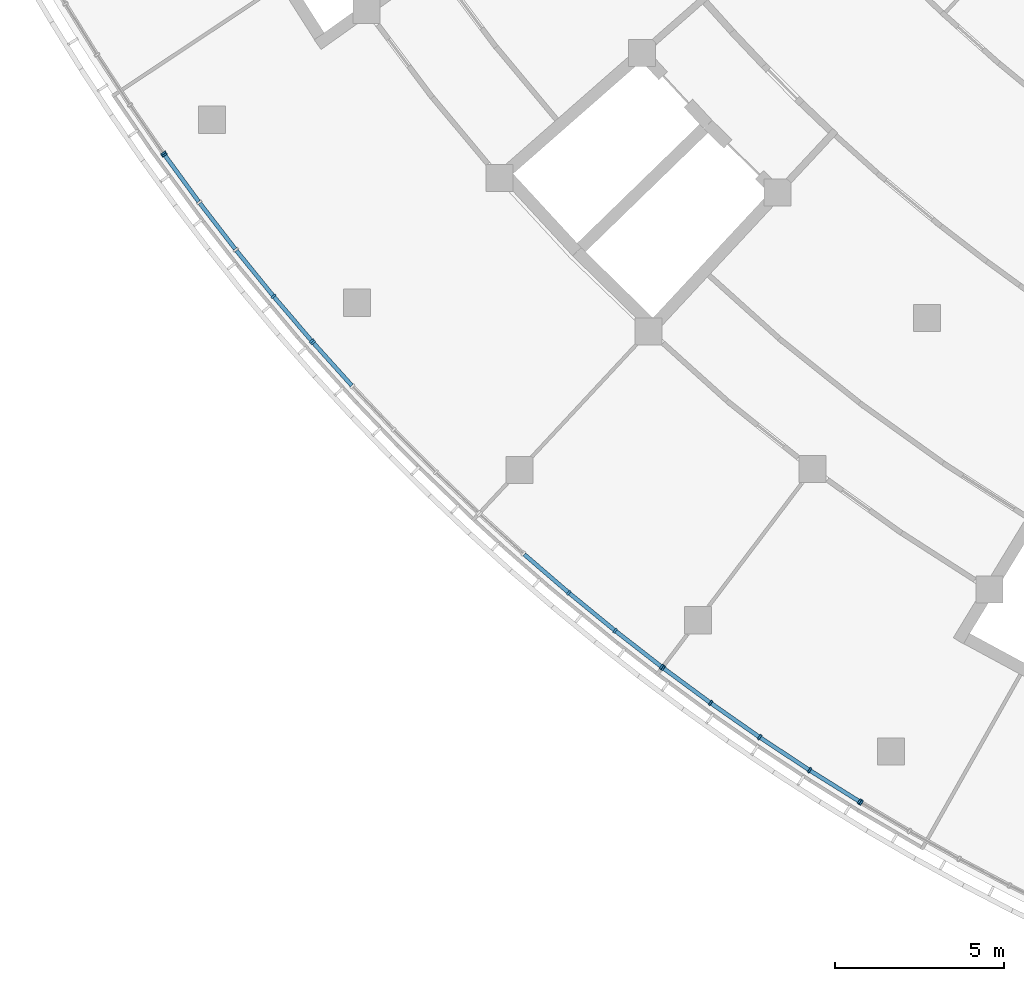
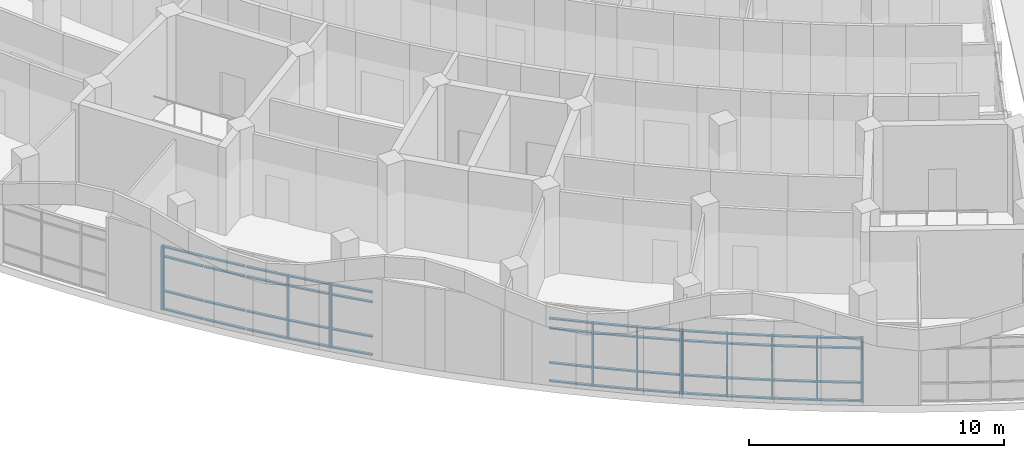
# One storey, part 2 of 137: 62 members, 6 elements without a shape of their own.
"""IFC4 building model written with IfcOpenShell, lengths in metres."""

from ifc_helpers import new_model, si_unit, direction, frame, origin, origin_2d, place, context, subcontext, project, spatial, rectangle, extrude, material, material_profile, profile_set, type_object, element, aggregate, save


model = new_model("IFC4")

# Units and contexts
model_context = context("Model", 3, precision=1e-05, world=origin(), true_north=direction((0.0, 1.0)))
body_context = subcontext(model_context, "Body", "Model", "MODEL_VIEW")
ifc_project = project(units=[si_unit("LENGTHUNIT", "METRE"), si_unit("AREAUNIT", "SQUARE_METRE"), si_unit("VOLUMEUNIT", "CUBIC_METRE"), si_unit("PLANEANGLEUNIT", "RADIAN"), si_unit("MASSUNIT", "GRAM", prefix="KILO")], contexts=[model_context])

# Site, building, storey
site_placement = place(None, origin())
site = spatial("IfcSite", under=ifc_project, at=site_placement, CompositionType="ELEMENT")
building_placement = place(site_placement, origin())
building = spatial("IfcBuilding", under=site, at=building_placement, Name="Bougainvillea Quay General Hospital", CompositionType="ELEMENT")
storey_placement = place(building_placement, frame((0.0, 0.0, 16.800048828125)))
storey = spatial("IfcBuildingStorey", under=building, at=storey_placement, Name="L03", CompositionType="ELEMENT", Elevation=16.800048828125)

# Curtain wall, member
ifc_material_1 = material(Name="Aluminium curtain wall system, powder-coated glazed", Category="aluminium")
curtain_wall_type = type_object("IfcCurtainWallType", Name="Unitised curtain wall CW-2100", PredefinedType="NOTDEFINED", material=ifc_material_1)
curtain_wall_1_placement = place(storey_placement, origin())
curtain_wall_1 = element("IfcCurtainWall", 1, at=curtain_wall_1_placement, inside=storey, type_object=curtain_wall_type, Name="CW-W01 a01b0", PredefinedType="NOTDEFINED")
ifc_material_2 = material(Name="Aluminium mullion, powder-coated charcoal", Category="aluminium")
ifc_material_profile_1 = material_profile(ifc_material_2, rectangle(XDim=0.159912109375, YDim=0.06005859375, at=origin_2d()))
ifc_profile_set_1 = profile_set([ifc_material_profile_1], Name="Aluminium mullion, powder-coated charcoal")
member_type_1 = type_object("IfcMemberType", Name="Curtain wall mullion 160x60", PredefinedType="MULLION", material=ifc_profile_set_1)
member_1_placement = place(storey_placement, frame((72.976806640625, 66.393798828125, 0.0), z_axis=(0.0, 0.0, 1.0), x_axis=(-0.509346436695, -0.860561565158, 0.0)))
member_1 = element("IfcMember", 2, at=member_1_placement, type_object=member_type_1, Name="CW-W01 mullion 5", PredefinedType="MULLION", context=body_context, shape_type="SweptSolid", body=[
    extrude(rectangle(XDim=0.159912109375, YDim=0.06005859375, at=origin_2d()), origin(), (0.0, 0.0, 1.0), 3.050048828125),
])
aggregate(curtain_wall_1, [member_1])

# Curtain wall, members
curtain_wall_2_placement = place(storey_placement, origin())
curtain_wall_2 = element("IfcCurtainWall", 3, at=curtain_wall_2_placement, inside=storey, type_object=curtain_wall_type, Name="CW-W02 a01b1", PredefinedType="NOTDEFINED")
member_2_placement = place(storey_placement, frame((72.925537109375, 66.425048828125, 0.0), z_axis=(0.0, 0.0, 1.0), x_axis=(-0.530488991968, -0.847691824545, 0.0)))
member_2 = element("IfcMember", 4, at=member_2_placement, type_object=member_type_1, Name="CW-W02 mullion 1", PredefinedType="MULLION", context=body_context, shape_type="SweptSolid", body=[
    extrude(rectangle(XDim=0.159912109375, YDim=0.06005859375, at=origin_2d()), origin(), (0.0, 0.0, 1.0), 3.050048828125),
])
member_3_placement = place(storey_placement, frame((71.45166015625, 67.347412109375, 0.0), z_axis=(0.0, 0.0, 1.0), x_axis=(-0.541194636325, -0.840897357359, 0.0)))
member_3 = element("IfcMember", 5, at=member_3_placement, type_object=member_type_1, Name="CW-W02 mullion 2", PredefinedType="MULLION", context=body_context, shape_type="SweptSolid", body=[
    extrude(rectangle(XDim=0.159912109375, YDim=0.06005859375, at=origin_2d()), origin(), (0.0, 0.0, 1.0), 3.050048828125),
])
member_4_placement = place(storey_placement, frame((69.9765625, 68.323486328125, 0.0), z_axis=(0.0, 0.0, 1.0), x_axis=(-0.562343185136, -0.826903949762, 0.0)))
member_4 = element("IfcMember", 6, at=member_4_placement, type_object=member_type_1, Name="CW-W02 mullion 3", PredefinedType="MULLION", context=body_context, shape_type="SweptSolid", body=[
    extrude(rectangle(XDim=0.159912109375, YDim=0.06005859375, at=origin_2d()), origin(), (0.0, 0.0, 1.0), 3.050048828125),
])
member_5_placement = place(storey_placement, frame((68.526611328125, 69.336669921875, 0.0), z_axis=(0.0, 0.0, 1.0), x_axis=(-0.583130104218, -0.812378779606, 0.0)))
member_5 = element("IfcMember", 7, at=member_5_placement, type_object=member_type_1, Name="CW-W02 mullion 4", PredefinedType="MULLION", context=body_context, shape_type="SweptSolid", body=[
    extrude(rectangle(XDim=0.159912109375, YDim=0.06005859375, at=origin_2d()), origin(), (0.0, 0.0, 1.0), 3.050048828125),
])
member_6_placement = place(storey_placement, frame((67.127197265625, 70.368408203125, 0.0), z_axis=(0.0, 0.0, 1.0), x_axis=(-0.593383765922, -0.804919689373, 0.0)))
member_6 = element("IfcMember", 8, at=member_6_placement, type_object=member_type_1, Name="CW-W02 mullion 5", PredefinedType="MULLION", context=body_context, shape_type="SweptSolid", body=[
    extrude(rectangle(XDim=0.159912109375, YDim=0.06005859375, at=origin_2d()), origin(), (0.0, 0.0, 1.0), 3.050048828125),
])

curtain_wall_3_placement = place(storey_placement, origin())
curtain_wall_3 = element("IfcCurtainWall", 9, at=curtain_wall_3_placement, inside=storey, type_object=curtain_wall_type, Name="CW-W03 a01b2", PredefinedType="NOTDEFINED")
member_7_placement = place(storey_placement, frame((67.079345703125, 70.404541015625, 0.0), z_axis=(0.0, 0.0, 1.0), x_axis=(-0.613603251226, -0.789614494602, 0.0)))
member_7 = element("IfcMember", 10, at=member_7_placement, type_object=member_type_1, Name="CW-W03 mullion 1", PredefinedType="MULLION", context=body_context, shape_type="SweptSolid", body=[
    extrude(rectangle(XDim=0.159912109375, YDim=0.06005859375, at=origin_2d()), origin(), (0.0, 0.0, 1.0), 3.050048828125),
])
member_8_placement = place(storey_placement, frame((65.706298828125, 71.471435546875, 0.0), z_axis=(0.0, 0.0, 1.0), x_axis=(-0.623565824026, -0.781770850765, 0.0)))
member_8 = element("IfcMember", 11, at=member_8_placement, type_object=member_type_1, Name="CW-W03 mullion 2", PredefinedType="MULLION", context=body_context, shape_type="SweptSolid", body=[
    extrude(rectangle(XDim=0.159912109375, YDim=0.06005859375, at=origin_2d()), origin(), (0.0, 0.0, 1.0), 3.050048828125),
])
member_9_placement = place(storey_placement, frame((64.337646484375, 72.591796875, 0.0), z_axis=(0.0, 0.0, 1.0), x_axis=(-0.643188621489, -0.765707775321, 0.0)))
member_9 = element("IfcMember", 12, at=member_9_placement, type_object=member_type_1, Name="CW-W03 mullion 3", PredefinedType="MULLION", context=body_context, shape_type="SweptSolid", body=[
    extrude(rectangle(XDim=0.159912109375, YDim=0.06005859375, at=origin_2d()), origin(), (0.0, 0.0, 1.0), 3.050048828125),
])

# Curtain wall, member
curtain_wall_4_placement = place(storey_placement, origin())
curtain_wall_4 = element("IfcCurtainWall", 13, at=curtain_wall_4_placement, inside=storey, type_object=curtain_wall_type, Name="CW-W04 a01b3", PredefinedType="NOTDEFINED")
member_10_placement = place(storey_placement, frame((56.78076171875, 79.986572265625, 0.0), z_axis=(0.0, 0.0, 1.0), x_axis=(-0.743395861593, -0.668851697289, 0.0)))
member_10 = element("IfcMember", 14, at=member_10_placement, type_object=member_type_1, Name="CW-W04 mullion 5", PredefinedType="MULLION", context=body_context, shape_type="SweptSolid", body=[
    extrude(rectangle(XDim=0.159912109375, YDim=0.06005859375, at=origin_2d()), origin(), (0.0, 0.0, 1.0), 3.050048828125),
])

# Curtain wall, members
curtain_wall_5_placement = place(storey_placement, origin())
curtain_wall_5 = element("IfcCurtainWall", 15, at=curtain_wall_5_placement, inside=storey, type_object=curtain_wall_type, Name="CW-W05 a01b4", PredefinedType="NOTDEFINED")
member_11_placement = place(storey_placement, frame((56.7412109375, 80.031494140625, 0.0), z_axis=(0.0, 0.0, 1.0), x_axis=(-0.760116847627, -0.649786409486, 0.0)))
member_11 = element("IfcMember", 16, at=member_11_placement, type_object=member_type_1, Name="CW-W05 mullion 1", PredefinedType="MULLION", context=body_context, shape_type="SweptSolid", body=[
    extrude(rectangle(XDim=0.159912109375, YDim=0.06005859375, at=origin_2d()), origin(), (0.0, 0.0, 1.0), 3.050048828125),
])
member_12_placement = place(storey_placement, frame((55.611572265625, 81.353271484375, 0.0), z_axis=(0.0, 0.0, 1.0), x_axis=(-0.768294695498, -0.64009629031, 0.0)))
member_12 = element("IfcMember", 17, at=member_12_placement, type_object=member_type_1, Name="CW-W05 mullion 2", PredefinedType="MULLION", context=body_context, shape_type="SweptSolid", body=[
    extrude(rectangle(XDim=0.159912109375, YDim=0.06005859375, at=origin_2d()), origin(), (0.0, 0.0, 1.0), 3.050048828125),
])
member_13_placement = place(storey_placement, frame((52.390869140625, 85.53125, 0.0), z_axis=(0.0, 0.0, 1.0), x_axis=(-0.807305492643, -0.590133748864, 0.0)))
member_13 = element("IfcMember", 18, at=member_13_placement, type_object=member_type_1, Name="CW-W05 mullion 5", PredefinedType="MULLION", context=body_context, shape_type="SweptSolid", body=[
    extrude(rectangle(XDim=0.159912109375, YDim=0.06005859375, at=origin_2d()), origin(), (0.0, 0.0, 1.0), 3.050048828125),
])

# Curtain wall, member
curtain_wall_6_placement = place(storey_placement, origin())
curtain_wall_6 = element("IfcCurtainWall", 19, at=curtain_wall_6_placement, inside=storey, type_object=curtain_wall_type, Name="CW-W06 a01b5", PredefinedType="NOTDEFINED")
member_14_placement = place(storey_placement, frame((52.35595703125, 85.580078125, 0.0), z_axis=(0.0, 0.0, 1.0), x_axis=(-0.822009884883, -0.569473220753, 0.0)))
member_14 = element("IfcMember", 20, at=member_14_placement, type_object=member_type_1, Name="CW-W06 mullion 1", PredefinedType="MULLION", context=body_context, shape_type="SweptSolid", body=[
    extrude(rectangle(XDim=0.159912109375, YDim=0.06005859375, at=origin_2d()), origin(), (0.0, 0.0, 1.0), 3.050048828125),
])
aggregate(curtain_wall_6, [member_14])

# Member
ifc_material_3 = material(Name="Aluminium transom, powder-coated charcoal", Category="aluminium")
ifc_material_profile_2 = material_profile(ifc_material_3, rectangle(XDim=0.1201171875, YDim=0.06005859375, at=origin_2d()))
ifc_profile_set_2 = profile_set([ifc_material_profile_2], Name="Aluminium transom, powder-coated charcoal")
member_type_2 = type_object("IfcMemberType", Name="Curtain wall transom 120x60", PredefinedType="USERDEFINED", material=ifc_profile_set_2)
member_15_placement = place(storey_placement, frame((72.900146484375, 66.44091796875, 0.030029296875), z_axis=(-0.847679524006, 0.530508647036, 0.0), x_axis=(-0.530508647036, -0.847679524006, 0.0)))
member_15 = element("IfcMember", 21, at=member_15_placement, type_object=member_type_2, Name="CW-W02 transom 1.1", ObjectType="TRANSOM", PredefinedType="USERDEFINED", context=body_context, shape_type="SweptSolid", body=[
    extrude(rectangle(XDim=0.1201171875, YDim=0.06005859375, at=origin_2d()), origin(), (0.0, 0.0, 1.0), 1.6787109375),
])

member_16_placement = place(storey_placement, frame((72.900146484375, 66.44091796875, 0.89990234375), z_axis=(-0.847679524006, 0.530508647036, 0.0), x_axis=(-0.530508647036, -0.847679524006, 0.0)))
member_16 = element("IfcMember", 22, at=member_16_placement, type_object=member_type_2, Name="CW-W02 transom 1.2", ObjectType="TRANSOM", PredefinedType="USERDEFINED", context=body_context, shape_type="SweptSolid", body=[
    extrude(rectangle(XDim=0.1201171875, YDim=0.06005859375, at=origin_2d()), origin(), (0.0, 0.0, 1.0), 1.6787109375),
])

member_17_placement = place(storey_placement, frame((72.900146484375, 66.44091796875, 2.550048828125), z_axis=(-0.847679524006, 0.530508647036, 0.0), x_axis=(-0.530508647036, -0.847679524006, 0.0)))
member_17 = element("IfcMember", 23, at=member_17_placement, type_object=member_type_2, Name="CW-W02 transom 1.3", ObjectType="TRANSOM", PredefinedType="USERDEFINED", context=body_context, shape_type="SweptSolid", body=[
    extrude(rectangle(XDim=0.1201171875, YDim=0.06005859375, at=origin_2d()), origin(), (0.0, 0.0, 1.0), 1.6787109375),
])

member_18_placement = place(storey_placement, frame((72.900146484375, 66.44091796875, 3.02001953125), z_axis=(-0.847679524006, 0.530508647036, 0.0), x_axis=(-0.530508647036, -0.847679524006, 0.0)))
member_18 = element("IfcMember", 24, at=member_18_placement, type_object=member_type_2, Name="CW-W02 transom 1.4", ObjectType="TRANSOM", PredefinedType="USERDEFINED", context=body_context, shape_type="SweptSolid", body=[
    extrude(rectangle(XDim=0.1201171875, YDim=0.06005859375, at=origin_2d()), origin(), (0.0, 0.0, 1.0), 1.6787109375),
])

member_19_placement = place(storey_placement, frame((71.4267578125, 67.364013671875, 0.030029296875), z_axis=(-0.833979585155, 0.551795298589, 0.0), x_axis=(-0.551795298589, -0.833979585155, 0.0)))
member_19 = element("IfcMember", 25, at=member_19_placement, type_object=member_type_2, Name="CW-W02 transom 2.1", ObjectType="TRANSOM", PredefinedType="USERDEFINED", context=body_context, shape_type="SweptSolid", body=[
    extrude(rectangle(XDim=0.1201171875, YDim=0.06005859375, at=origin_2d()), origin(), (0.0, 0.0, 1.0), 1.708740234375),
])

member_20_placement = place(storey_placement, frame((71.4267578125, 67.364013671875, 0.89990234375), z_axis=(-0.833979585155, 0.551795298589, 0.0), x_axis=(-0.551795298589, -0.833979585155, 0.0)))
member_20 = element("IfcMember", 26, at=member_20_placement, type_object=member_type_2, Name="CW-W02 transom 2.2", ObjectType="TRANSOM", PredefinedType="USERDEFINED", context=body_context, shape_type="SweptSolid", body=[
    extrude(rectangle(XDim=0.1201171875, YDim=0.06005859375, at=origin_2d()), origin(), (0.0, 0.0, 1.0), 1.708740234375),
])

member_21_placement = place(storey_placement, frame((71.4267578125, 67.364013671875, 2.550048828125), z_axis=(-0.833979585155, 0.551795298589, 0.0), x_axis=(-0.551795298589, -0.833979585155, 0.0)))
member_21 = element("IfcMember", 27, at=member_21_placement, type_object=member_type_2, Name="CW-W02 transom 2.3", ObjectType="TRANSOM", PredefinedType="USERDEFINED", context=body_context, shape_type="SweptSolid", body=[
    extrude(rectangle(XDim=0.1201171875, YDim=0.06005859375, at=origin_2d()), origin(), (0.0, 0.0, 1.0), 1.708740234375),
])

member_22_placement = place(storey_placement, frame((71.4267578125, 67.364013671875, 3.02001953125), z_axis=(-0.833979585155, 0.551795298589, 0.0), x_axis=(-0.551795298589, -0.833979585155, 0.0)))
member_22 = element("IfcMember", 28, at=member_22_placement, type_object=member_type_2, Name="CW-W02 transom 2.4", ObjectType="TRANSOM", PredefinedType="USERDEFINED", context=body_context, shape_type="SweptSolid", body=[
    extrude(rectangle(XDim=0.1201171875, YDim=0.06005859375, at=origin_2d()), origin(), (0.0, 0.0, 1.0), 1.708740234375),
])

member_23_placement = place(storey_placement, frame((69.951904296875, 68.340576171875, 0.030029296875), z_axis=(-0.81969481029, 0.572800504524, 0.0), x_axis=(-0.572800504524, -0.81969481029, 0.0)))
member_23 = element("IfcMember", 29, at=member_23_placement, type_object=member_type_2, Name="CW-W02 transom 3.1", ObjectType="TRANSOM", PredefinedType="USERDEFINED", context=body_context, shape_type="SweptSolid", body=[
    extrude(rectangle(XDim=0.1201171875, YDim=0.06005859375, at=origin_2d()), origin(), (0.0, 0.0, 1.0), 1.708740234375),
])

member_24_placement = place(storey_placement, frame((69.951904296875, 68.340576171875, 0.89990234375), z_axis=(-0.81969481029, 0.572800504524, 0.0), x_axis=(-0.572800504524, -0.81969481029, 0.0)))
member_24 = element("IfcMember", 30, at=member_24_placement, type_object=member_type_2, Name="CW-W02 transom 3.2", ObjectType="TRANSOM", PredefinedType="USERDEFINED", context=body_context, shape_type="SweptSolid", body=[
    extrude(rectangle(XDim=0.1201171875, YDim=0.06005859375, at=origin_2d()), origin(), (0.0, 0.0, 1.0), 1.708740234375),
])

member_25_placement = place(storey_placement, frame((69.951904296875, 68.340576171875, 2.550048828125), z_axis=(-0.81969481029, 0.572800504524, 0.0), x_axis=(-0.572800504524, -0.81969481029, 0.0)))
member_25 = element("IfcMember", 31, at=member_25_placement, type_object=member_type_2, Name="CW-W02 transom 3.3", ObjectType="TRANSOM", PredefinedType="USERDEFINED", context=body_context, shape_type="SweptSolid", body=[
    extrude(rectangle(XDim=0.1201171875, YDim=0.06005859375, at=origin_2d()), origin(), (0.0, 0.0, 1.0), 1.708740234375),
])

member_26_placement = place(storey_placement, frame((69.951904296875, 68.340576171875, 3.02001953125), z_axis=(-0.81969481029, 0.572800504524, 0.0), x_axis=(-0.572800504524, -0.81969481029, 0.0)))
member_26 = element("IfcMember", 32, at=member_26_placement, type_object=member_type_2, Name="CW-W02 transom 3.4", ObjectType="TRANSOM", PredefinedType="USERDEFINED", context=body_context, shape_type="SweptSolid", body=[
    extrude(rectangle(XDim=0.1201171875, YDim=0.06005859375, at=origin_2d()), origin(), (0.0, 0.0, 1.0), 1.708740234375),
])

member_27_placement = place(storey_placement, frame((68.50244140625, 69.3544921875, 0.030029296875), z_axis=(-0.804894956089, 0.593417314934, 0.0), x_axis=(-0.593417314934, -0.804894956089, 0.0)))
member_27 = element("IfcMember", 33, at=member_27_placement, type_object=member_type_2, Name="CW-W02 transom 4.1", ObjectType="TRANSOM", PredefinedType="USERDEFINED", context=body_context, shape_type="SweptSolid", body=[
    extrude(rectangle(XDim=0.1201171875, YDim=0.06005859375, at=origin_2d()), origin(), (0.0, 0.0, 1.0), 1.678466796875),
])

member_28_placement = place(storey_placement, frame((68.50244140625, 69.3544921875, 0.89990234375), z_axis=(-0.804894956089, 0.593417314934, 0.0), x_axis=(-0.593417314934, -0.804894956089, 0.0)))
member_28 = element("IfcMember", 34, at=member_28_placement, type_object=member_type_2, Name="CW-W02 transom 4.2", ObjectType="TRANSOM", PredefinedType="USERDEFINED", context=body_context, shape_type="SweptSolid", body=[
    extrude(rectangle(XDim=0.1201171875, YDim=0.06005859375, at=origin_2d()), origin(), (0.0, 0.0, 1.0), 1.678466796875),
])

member_29_placement = place(storey_placement, frame((68.50244140625, 69.3544921875, 2.550048828125), z_axis=(-0.804894956089, 0.593417314934, 0.0), x_axis=(-0.593417314934, -0.804894956089, 0.0)))
member_29 = element("IfcMember", 35, at=member_29_placement, type_object=member_type_2, Name="CW-W02 transom 4.3", ObjectType="TRANSOM", PredefinedType="USERDEFINED", context=body_context, shape_type="SweptSolid", body=[
    extrude(rectangle(XDim=0.1201171875, YDim=0.06005859375, at=origin_2d()), origin(), (0.0, 0.0, 1.0), 1.678466796875),
])

member_30_placement = place(storey_placement, frame((68.50244140625, 69.3544921875, 3.02001953125), z_axis=(-0.804894956089, 0.593417314934, 0.0), x_axis=(-0.593417314934, -0.804894956089, 0.0)))
member_30 = element("IfcMember", 36, at=member_30_placement, type_object=member_type_2, Name="CW-W02 transom 4.4", ObjectType="TRANSOM", PredefinedType="USERDEFINED", context=body_context, shape_type="SweptSolid", body=[
    extrude(rectangle(XDim=0.1201171875, YDim=0.06005859375, at=origin_2d()), origin(), (0.0, 0.0, 1.0), 1.678466796875),
])

aggregate(curtain_wall_2, [member_2, member_3, member_4, member_5, member_6, member_15, member_16, member_17, member_18, member_19, member_20, member_21, member_22, member_23, member_24, member_25, member_26, member_27, member_28, member_29, member_30])

member_31_placement = place(storey_placement, frame((67.0556640625, 70.423095703125, 0.030029296875), z_axis=(-0.789657512127, 0.613547890178, 0.0), x_axis=(-0.613547890178, -0.789657512127, 0.0)))
member_31 = element("IfcMember", 37, at=member_31_placement, type_object=member_type_2, Name="CW-W03 transom 1.1", ObjectType="TRANSOM", PredefinedType="USERDEFINED", context=body_context, shape_type="SweptSolid", body=[
    extrude(rectangle(XDim=0.1201171875, YDim=0.06005859375, at=origin_2d()), origin(), (0.0, 0.0, 1.0), 1.6787109375),
])

member_32_placement = place(storey_placement, frame((67.0556640625, 70.423095703125, 0.89990234375), z_axis=(-0.789657512127, 0.613547890178, 0.0), x_axis=(-0.613547890178, -0.789657512127, 0.0)))
member_32 = element("IfcMember", 38, at=member_32_placement, type_object=member_type_2, Name="CW-W03 transom 1.2", ObjectType="TRANSOM", PredefinedType="USERDEFINED", context=body_context, shape_type="SweptSolid", body=[
    extrude(rectangle(XDim=0.1201171875, YDim=0.06005859375, at=origin_2d()), origin(), (0.0, 0.0, 1.0), 1.6787109375),
])

member_33_placement = place(storey_placement, frame((67.0556640625, 70.423095703125, 2.550048828125), z_axis=(-0.789657512127, 0.613547890178, 0.0), x_axis=(-0.613547890178, -0.789657512127, 0.0)))
member_33 = element("IfcMember", 39, at=member_33_placement, type_object=member_type_2, Name="CW-W03 transom 1.3", ObjectType="TRANSOM", PredefinedType="USERDEFINED", context=body_context, shape_type="SweptSolid", body=[
    extrude(rectangle(XDim=0.1201171875, YDim=0.06005859375, at=origin_2d()), origin(), (0.0, 0.0, 1.0), 1.6787109375),
])

member_34_placement = place(storey_placement, frame((67.0556640625, 70.423095703125, 3.02001953125), z_axis=(-0.789657512127, 0.613547890178, 0.0), x_axis=(-0.613547890178, -0.789657512127, 0.0)))
member_34 = element("IfcMember", 40, at=member_34_placement, type_object=member_type_2, Name="CW-W03 transom 1.4", ObjectType="TRANSOM", PredefinedType="USERDEFINED", context=body_context, shape_type="SweptSolid", body=[
    extrude(rectangle(XDim=0.1201171875, YDim=0.06005859375, at=origin_2d()), origin(), (0.0, 0.0, 1.0), 1.6787109375),
])

member_35_placement = place(storey_placement, frame((65.68310546875, 71.490478515625, 0.030029296875), z_axis=(-0.773766303508, 0.633471157635, 0.0), x_axis=(-0.633471157635, -0.773766303508, 0.0)))
member_35 = element("IfcMember", 41, at=member_35_placement, type_object=member_type_2, Name="CW-W03 transom 2.1", ObjectType="TRANSOM", PredefinedType="USERDEFINED", context=body_context, shape_type="SweptSolid", body=[
    extrude(rectangle(XDim=0.1201171875, YDim=0.06005859375, at=origin_2d()), origin(), (0.0, 0.0, 1.0), 1.708984375),
])

member_36_placement = place(storey_placement, frame((65.68310546875, 71.490478515625, 0.89990234375), z_axis=(-0.773766303508, 0.633471157635, 0.0), x_axis=(-0.633471157635, -0.773766303508, 0.0)))
member_36 = element("IfcMember", 42, at=member_36_placement, type_object=member_type_2, Name="CW-W03 transom 2.2", ObjectType="TRANSOM", PredefinedType="USERDEFINED", context=body_context, shape_type="SweptSolid", body=[
    extrude(rectangle(XDim=0.1201171875, YDim=0.06005859375, at=origin_2d()), origin(), (0.0, 0.0, 1.0), 1.708984375),
])

member_37_placement = place(storey_placement, frame((65.68310546875, 71.490478515625, 2.550048828125), z_axis=(-0.773766303508, 0.633471157635, 0.0), x_axis=(-0.633471157635, -0.773766303508, 0.0)))
member_37 = element("IfcMember", 43, at=member_37_placement, type_object=member_type_2, Name="CW-W03 transom 2.3", ObjectType="TRANSOM", PredefinedType="USERDEFINED", context=body_context, shape_type="SweptSolid", body=[
    extrude(rectangle(XDim=0.1201171875, YDim=0.06005859375, at=origin_2d()), origin(), (0.0, 0.0, 1.0), 1.708984375),
])

member_38_placement = place(storey_placement, frame((65.68310546875, 71.490478515625, 3.02001953125), z_axis=(-0.773766303508, 0.633471157635, 0.0), x_axis=(-0.633471157635, -0.773766303508, 0.0)))
member_38 = element("IfcMember", 44, at=member_38_placement, type_object=member_type_2, Name="CW-W03 transom 2.4", ObjectType="TRANSOM", PredefinedType="USERDEFINED", context=body_context, shape_type="SweptSolid", body=[
    extrude(rectangle(XDim=0.1201171875, YDim=0.06005859375, at=origin_2d()), origin(), (0.0, 0.0, 1.0), 1.708984375),
])

member_39_placement = place(storey_placement, frame((64.31494140625, 72.611572265625, 0.030029296875), z_axis=(-0.757529337262, 0.6528011207, 0.0), x_axis=(-0.6528011207, -0.757529337262, 0.0)))
member_39 = element("IfcMember", 45, at=member_39_placement, type_object=member_type_2, Name="CW-W03 transom 3.1", ObjectType="TRANSOM", PredefinedType="USERDEFINED", context=body_context, shape_type="SweptSolid", body=[
    extrude(rectangle(XDim=0.1201171875, YDim=0.06005859375, at=origin_2d()), origin(), (0.0, 0.0, 1.0), 1.708740234375),
])

member_40_placement = place(storey_placement, frame((64.31494140625, 72.611572265625, 0.89990234375), z_axis=(-0.757529337262, 0.6528011207, 0.0), x_axis=(-0.6528011207, -0.757529337262, 0.0)))
member_40 = element("IfcMember", 46, at=member_40_placement, type_object=member_type_2, Name="CW-W03 transom 3.2", ObjectType="TRANSOM", PredefinedType="USERDEFINED", context=body_context, shape_type="SweptSolid", body=[
    extrude(rectangle(XDim=0.1201171875, YDim=0.06005859375, at=origin_2d()), origin(), (0.0, 0.0, 1.0), 1.708740234375),
])

member_41_placement = place(storey_placement, frame((64.31494140625, 72.611572265625, 2.550048828125), z_axis=(-0.757529337262, 0.6528011207, 0.0), x_axis=(-0.6528011207, -0.757529337262, 0.0)))
member_41 = element("IfcMember", 47, at=member_41_placement, type_object=member_type_2, Name="CW-W03 transom 3.3", ObjectType="TRANSOM", PredefinedType="USERDEFINED", context=body_context, shape_type="SweptSolid", body=[
    extrude(rectangle(XDim=0.1201171875, YDim=0.06005859375, at=origin_2d()), origin(), (0.0, 0.0, 1.0), 1.708740234375),
])

member_42_placement = place(storey_placement, frame((64.31494140625, 72.611572265625, 3.02001953125), z_axis=(-0.757529337262, 0.6528011207, 0.0), x_axis=(-0.6528011207, -0.757529337262, 0.0)))
member_42 = element("IfcMember", 48, at=member_42_placement, type_object=member_type_2, Name="CW-W03 transom 3.4", ObjectType="TRANSOM", PredefinedType="USERDEFINED", context=body_context, shape_type="SweptSolid", body=[
    extrude(rectangle(XDim=0.1201171875, YDim=0.06005859375, at=origin_2d()), origin(), (0.0, 0.0, 1.0), 1.708740234375),
])

aggregate(curtain_wall_3, [member_7, member_8, member_9, member_31, member_32, member_33, member_34, member_35, member_36, member_37, member_38, member_39, member_40, member_41, member_42])

member_43_placement = place(storey_placement, frame((57.923828125, 78.71630859375, 0.030029296875), z_axis=(-0.668892408727, 0.743359230485, 0.0), x_axis=(-0.743359230485, -0.668892408727, 0.0)))
member_43 = element("IfcMember", 49, at=member_43_placement, type_object=member_type_2, Name="CW-W04 transom 4.1", ObjectType="TRANSOM", PredefinedType="USERDEFINED", context=body_context, shape_type="SweptSolid", body=[
    extrude(rectangle(XDim=0.1201171875, YDim=0.06005859375, at=origin_2d()), origin(), (0.0, 0.0, 1.0), 1.6787109375),
])

member_44_placement = place(storey_placement, frame((57.923828125, 78.71630859375, 0.89990234375), z_axis=(-0.668892408727, 0.743359230485, 0.0), x_axis=(-0.743359230485, -0.668892408727, 0.0)))
member_44 = element("IfcMember", 50, at=member_44_placement, type_object=member_type_2, Name="CW-W04 transom 4.2", ObjectType="TRANSOM", PredefinedType="USERDEFINED", context=body_context, shape_type="SweptSolid", body=[
    extrude(rectangle(XDim=0.1201171875, YDim=0.06005859375, at=origin_2d()), origin(), (0.0, 0.0, 1.0), 1.6787109375),
])

member_45_placement = place(storey_placement, frame((57.923828125, 78.71630859375, 2.550048828125), z_axis=(-0.668892408727, 0.743359230485, 0.0), x_axis=(-0.743359230485, -0.668892408727, 0.0)))
member_45 = element("IfcMember", 51, at=member_45_placement, type_object=member_type_2, Name="CW-W04 transom 4.3", ObjectType="TRANSOM", PredefinedType="USERDEFINED", context=body_context, shape_type="SweptSolid", body=[
    extrude(rectangle(XDim=0.1201171875, YDim=0.06005859375, at=origin_2d()), origin(), (0.0, 0.0, 1.0), 1.6787109375),
])

member_46_placement = place(storey_placement, frame((57.923828125, 78.71630859375, 3.02001953125), z_axis=(-0.668892408727, 0.743359230485, 0.0), x_axis=(-0.743359230485, -0.668892408727, 0.0)))
member_46 = element("IfcMember", 52, at=member_46_placement, type_object=member_type_2, Name="CW-W04 transom 4.4", ObjectType="TRANSOM", PredefinedType="USERDEFINED", context=body_context, shape_type="SweptSolid", body=[
    extrude(rectangle(XDim=0.1201171875, YDim=0.06005859375, at=origin_2d()), origin(), (0.0, 0.0, 1.0), 1.6787109375),
])

aggregate(curtain_wall_4, [member_10, member_43, member_44, member_45, member_46])

member_47_placement = place(storey_placement, frame((56.721923828125, 80.054443359375, 0.030029296875), z_axis=(-0.649844836937, 0.760066896994, 0.0), x_axis=(-0.760066896994, -0.649844836937, 0.0)))
member_47 = element("IfcMember", 53, at=member_47_placement, type_object=member_type_2, Name="CW-W05 transom 1.1", ObjectType="TRANSOM", PredefinedType="USERDEFINED", context=body_context, shape_type="SweptSolid", body=[
    extrude(rectangle(XDim=0.1201171875, YDim=0.06005859375, at=origin_2d()), origin(), (0.0, 0.0, 1.0), 1.678955078125),
])

member_48_placement = place(storey_placement, frame((56.721923828125, 80.054443359375, 0.89990234375), z_axis=(-0.649844836937, 0.760066896994, 0.0), x_axis=(-0.760066896994, -0.649844836937, 0.0)))
member_48 = element("IfcMember", 54, at=member_48_placement, type_object=member_type_2, Name="CW-W05 transom 1.2", ObjectType="TRANSOM", PredefinedType="USERDEFINED", context=body_context, shape_type="SweptSolid", body=[
    extrude(rectangle(XDim=0.1201171875, YDim=0.06005859375, at=origin_2d()), origin(), (0.0, 0.0, 1.0), 1.678955078125),
])

member_49_placement = place(storey_placement, frame((56.721923828125, 80.054443359375, 2.550048828125), z_axis=(-0.649844836937, 0.760066896994, 0.0), x_axis=(-0.760066896994, -0.649844836937, 0.0)))
member_49 = element("IfcMember", 55, at=member_49_placement, type_object=member_type_2, Name="CW-W05 transom 1.3", ObjectType="TRANSOM", PredefinedType="USERDEFINED", context=body_context, shape_type="SweptSolid", body=[
    extrude(rectangle(XDim=0.1201171875, YDim=0.06005859375, at=origin_2d()), origin(), (0.0, 0.0, 1.0), 1.678955078125),
])

member_50_placement = place(storey_placement, frame((56.721923828125, 80.054443359375, 3.02001953125), z_axis=(-0.649844836937, 0.760066896994, 0.0), x_axis=(-0.760066896994, -0.649844836937, 0.0)))
member_50 = element("IfcMember", 56, at=member_50_placement, type_object=member_type_2, Name="CW-W05 transom 1.4", ObjectType="TRANSOM", PredefinedType="USERDEFINED", context=body_context, shape_type="SweptSolid", body=[
    extrude(rectangle(XDim=0.1201171875, YDim=0.06005859375, at=origin_2d()), origin(), (0.0, 0.0, 1.0), 1.678955078125),
])

member_51_placement = place(storey_placement, frame((55.592529296875, 81.37646484375, 0.030029296875), z_axis=(-0.630323663485, 0.776332454075, 0.0), x_axis=(-0.776332454075, -0.630323663485, 0.0)))
member_51 = element("IfcMember", 57, at=member_51_placement, type_object=member_type_2, Name="CW-W05 transom 2.1", ObjectType="TRANSOM", PredefinedType="USERDEFINED", context=body_context, shape_type="SweptSolid", body=[
    extrude(rectangle(XDim=0.1201171875, YDim=0.06005859375, at=origin_2d()), origin(), (0.0, 0.0, 1.0), 1.708984375),
])

member_52_placement = place(storey_placement, frame((55.592529296875, 81.37646484375, 0.89990234375), z_axis=(-0.630323663485, 0.776332454075, 0.0), x_axis=(-0.776332454075, -0.630323663485, 0.0)))
member_52 = element("IfcMember", 58, at=member_52_placement, type_object=member_type_2, Name="CW-W05 transom 2.2", ObjectType="TRANSOM", PredefinedType="USERDEFINED", context=body_context, shape_type="SweptSolid", body=[
    extrude(rectangle(XDim=0.1201171875, YDim=0.06005859375, at=origin_2d()), origin(), (0.0, 0.0, 1.0), 1.708984375),
])

member_53_placement = place(storey_placement, frame((55.592529296875, 81.37646484375, 2.550048828125), z_axis=(-0.630323663485, 0.776332454075, 0.0), x_axis=(-0.776332454075, -0.630323663485, 0.0)))
member_53 = element("IfcMember", 59, at=member_53_placement, type_object=member_type_2, Name="CW-W05 transom 2.3", ObjectType="TRANSOM", PredefinedType="USERDEFINED", context=body_context, shape_type="SweptSolid", body=[
    extrude(rectangle(XDim=0.1201171875, YDim=0.06005859375, at=origin_2d()), origin(), (0.0, 0.0, 1.0), 1.708984375),
])

member_54_placement = place(storey_placement, frame((55.592529296875, 81.37646484375, 3.02001953125), z_axis=(-0.630323663485, 0.776332454075, 0.0), x_axis=(-0.776332454075, -0.630323663485, 0.0)))
member_54 = element("IfcMember", 60, at=member_54_placement, type_object=member_type_2, Name="CW-W05 transom 2.4", ObjectType="TRANSOM", PredefinedType="USERDEFINED", context=body_context, shape_type="SweptSolid", body=[
    extrude(rectangle(XDim=0.1201171875, YDim=0.06005859375, at=origin_2d()), origin(), (0.0, 0.0, 1.0), 1.708984375),
])

member_55_placement = place(storey_placement, frame((54.478271484375, 82.750244140625, 0.030029296875), z_axis=(-0.610373415052, 0.792113813916, 0.0), x_axis=(-0.792113813916, -0.610373415052, 0.0)))
member_55 = element("IfcMember", 61, at=member_55_placement, type_object=member_type_2, Name="CW-W05 transom 3.1", ObjectType="TRANSOM", PredefinedType="USERDEFINED", context=body_context, shape_type="SweptSolid", body=[
    extrude(rectangle(XDim=0.1201171875, YDim=0.06005859375, at=origin_2d()), origin(), (0.0, 0.0, 1.0), 1.708740234375),
])

member_56_placement = place(storey_placement, frame((54.478271484375, 82.750244140625, 0.89990234375), z_axis=(-0.610373415052, 0.792113813916, 0.0), x_axis=(-0.792113813916, -0.610373415052, 0.0)))
member_56 = element("IfcMember", 62, at=member_56_placement, type_object=member_type_2, Name="CW-W05 transom 3.2", ObjectType="TRANSOM", PredefinedType="USERDEFINED", context=body_context, shape_type="SweptSolid", body=[
    extrude(rectangle(XDim=0.1201171875, YDim=0.06005859375, at=origin_2d()), origin(), (0.0, 0.0, 1.0), 1.708740234375),
])

member_57_placement = place(storey_placement, frame((54.478271484375, 82.750244140625, 2.550048828125), z_axis=(-0.610373415052, 0.792113813916, 0.0), x_axis=(-0.792113813916, -0.610373415052, 0.0)))
member_57 = element("IfcMember", 63, at=member_57_placement, type_object=member_type_2, Name="CW-W05 transom 3.3", ObjectType="TRANSOM", PredefinedType="USERDEFINED", context=body_context, shape_type="SweptSolid", body=[
    extrude(rectangle(XDim=0.1201171875, YDim=0.06005859375, at=origin_2d()), origin(), (0.0, 0.0, 1.0), 1.708740234375),
])

member_58_placement = place(storey_placement, frame((54.478271484375, 82.750244140625, 3.02001953125), z_axis=(-0.610373415052, 0.792113813916, 0.0), x_axis=(-0.792113813916, -0.610373415052, 0.0)))
member_58 = element("IfcMember", 64, at=member_58_placement, type_object=member_type_2, Name="CW-W05 transom 3.4", ObjectType="TRANSOM", PredefinedType="USERDEFINED", context=body_context, shape_type="SweptSolid", body=[
    extrude(rectangle(XDim=0.1201171875, YDim=0.06005859375, at=origin_2d()), origin(), (0.0, 0.0, 1.0), 1.708740234375),
])

member_59_placement = place(storey_placement, frame((53.399169921875, 84.15185546875, 0.030029296875), z_axis=(-0.590158785572, 0.807287190417, 0.0), x_axis=(-0.807287190417, -0.590158785572, 0.0)))
member_59 = element("IfcMember", 65, at=member_59_placement, type_object=member_type_2, Name="CW-W05 transom 4.1", ObjectType="TRANSOM", PredefinedType="USERDEFINED", context=body_context, shape_type="SweptSolid", body=[
    extrude(rectangle(XDim=0.1201171875, YDim=0.06005859375, at=origin_2d()), origin(), (0.0, 0.0, 1.0), 1.6787109375),
])

member_60_placement = place(storey_placement, frame((53.399169921875, 84.15185546875, 0.89990234375), z_axis=(-0.590158785572, 0.807287190417, 0.0), x_axis=(-0.807287190417, -0.590158785572, 0.0)))
member_60 = element("IfcMember", 66, at=member_60_placement, type_object=member_type_2, Name="CW-W05 transom 4.2", ObjectType="TRANSOM", PredefinedType="USERDEFINED", context=body_context, shape_type="SweptSolid", body=[
    extrude(rectangle(XDim=0.1201171875, YDim=0.06005859375, at=origin_2d()), origin(), (0.0, 0.0, 1.0), 1.6787109375),
])

member_61_placement = place(storey_placement, frame((53.399169921875, 84.15185546875, 2.550048828125), z_axis=(-0.590158785572, 0.807287190417, 0.0), x_axis=(-0.807287190417, -0.590158785572, 0.0)))
member_61 = element("IfcMember", 67, at=member_61_placement, type_object=member_type_2, Name="CW-W05 transom 4.3", ObjectType="TRANSOM", PredefinedType="USERDEFINED", context=body_context, shape_type="SweptSolid", body=[
    extrude(rectangle(XDim=0.1201171875, YDim=0.06005859375, at=origin_2d()), origin(), (0.0, 0.0, 1.0), 1.6787109375),
])

member_62_placement = place(storey_placement, frame((53.399169921875, 84.15185546875, 3.02001953125), z_axis=(-0.590158785572, 0.807287190417, 0.0), x_axis=(-0.807287190417, -0.590158785572, 0.0)))
member_62 = element("IfcMember", 68, at=member_62_placement, type_object=member_type_2, Name="CW-W05 transom 4.4", ObjectType="TRANSOM", PredefinedType="USERDEFINED", context=body_context, shape_type="SweptSolid", body=[
    extrude(rectangle(XDim=0.1201171875, YDim=0.06005859375, at=origin_2d()), origin(), (0.0, 0.0, 1.0), 1.6787109375),
])

aggregate(curtain_wall_5, [member_11, member_12, member_13, member_47, member_48, member_49, member_50, member_51, member_52, member_53, member_54, member_55, member_56, member_57, member_58, member_59, member_60, member_61, member_62])

save(model, "model.ifc")
